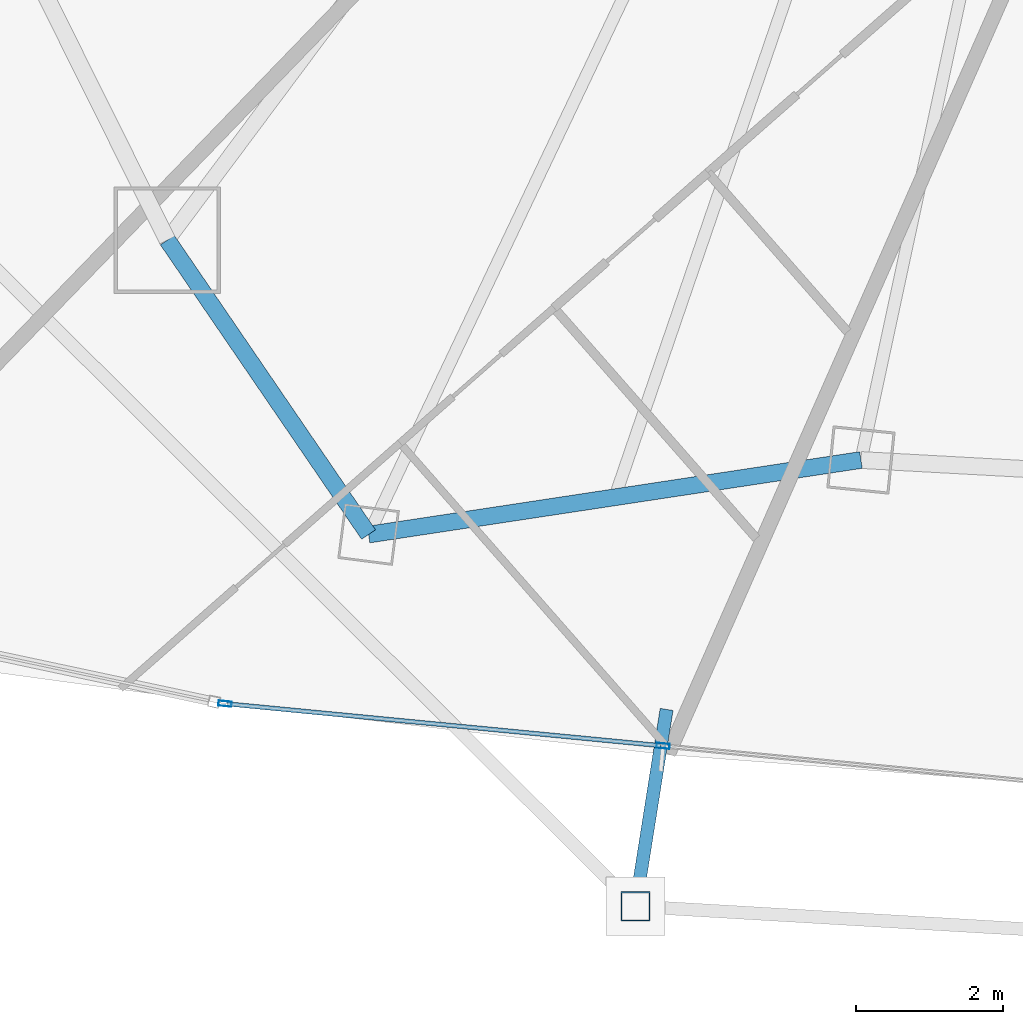
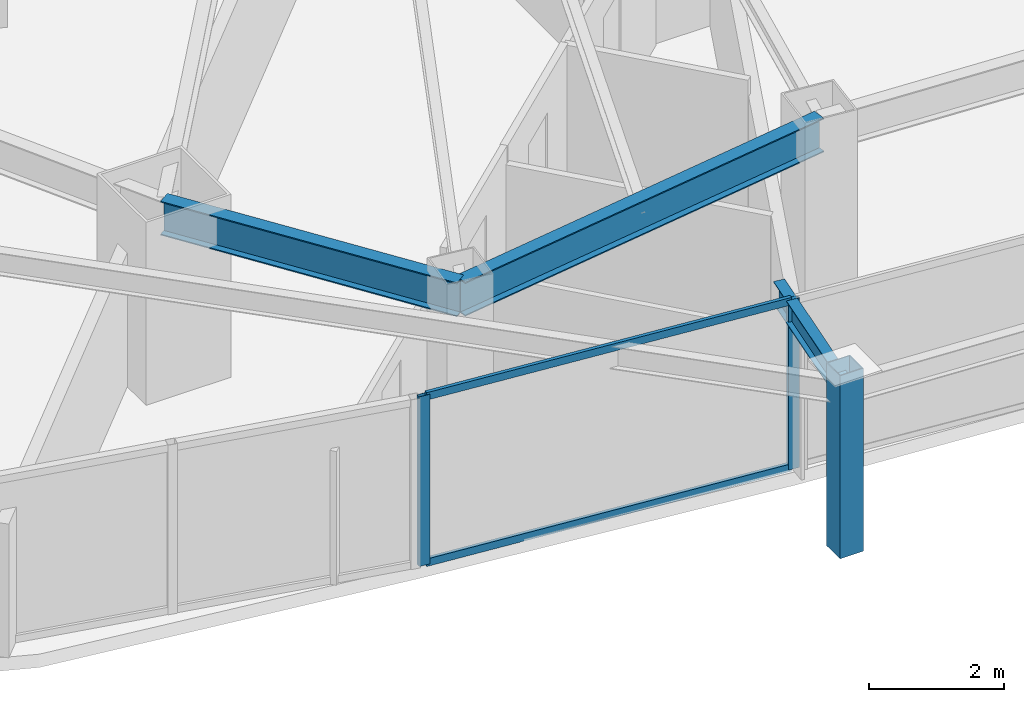
# One storey, part 4 of 31: 5 members, 3 beams, 1 element without a shape of its own.
"""IFC4 building model written with IfcOpenShell, lengths in metres."""

from ifc_helpers import new_model, si_unit, direction, frame, origin, origin_2d, place, context, subcontext, project, spatial, hollow_rectangle, i_section, extrude, material, layer, layer_set, material_profile, profile_set, type_object, element, aggregate, save


model = new_model("IFC4")

# Units and contexts
model_context = context("Model", 3, precision=1e-05, world=origin(), true_north=direction((0.0, 1.0)))
body_context = subcontext(model_context, "Body", "Model", "MODEL_VIEW")
ifc_project = project(units=[si_unit("LENGTHUNIT", "METRE"), si_unit("AREAUNIT", "SQUARE_METRE"), si_unit("VOLUMEUNIT", "CUBIC_METRE"), si_unit("PLANEANGLEUNIT", "RADIAN"), si_unit("MASSUNIT", "GRAM", prefix="KILO")], contexts=[model_context])

# Site, building, storey
site_placement = place(None, origin())
site = spatial("IfcSite", under=ifc_project, at=site_placement, CompositionType="ELEMENT")
building_placement = place(site_placement, origin())
building = spatial("IfcBuilding", under=site, at=building_placement, Name="Orvanel Arch Residences", CompositionType="ELEMENT")
storey_placement = place(building_placement, frame((0.0, 0.0, 113.300048828125)))
storey = spatial("IfcBuildingStorey", under=building, at=storey_placement, Name="L31", CompositionType="ELEMENT", Elevation=113.300048828125)

# Curtain wall, members
ifc_material_1 = material(Name="Bronze-anodised aluminium AA6063-T6", Category="aluminium")
ifc_layer = layer(ifc_material_1, 0.179931640625)
ifc_layer_set = layer_set([ifc_layer], Name="Bronze-anodised aluminium AA6063-T6")
curtain_wall_type = type_object("IfcCurtainWallType", Name="CW3-MID-SYS", PredefinedType="NOTDEFINED", material=ifc_layer_set)
curtain_wall_placement = place(storey_placement, origin())
curtain_wall = element("IfcCurtainWall", 1, at=curtain_wall_placement, inside=storey, type_object=curtain_wall_type, Name="L31 CW3-MID-SYS Unitised Curtain Wall", PredefinedType="NOTDEFINED")
ifc_material_profile_1 = material_profile(ifc_material_1, hollow_rectangle(XDim=0.070068359375, YDim=0.179931640625, WallThickness=0.00439453125, at=origin_2d()), Name="ALU180x70x4.5")
ifc_profile_set_1 = profile_set([ifc_material_profile_1], Name="Bronze-anodised aluminium AA6063-T6")
member_type_1 = type_object("IfcMemberType", Name="MUL-180x70", PredefinedType="MULLION", material=ifc_profile_set_1)
member_1_placement = place(storey_placement, frame((14.98486328125, 4.03564453125, 0.0), z_axis=(0.0, 0.0, 1.0), x_axis=(0.095998315385, 0.995381496434, 0.0)))
member_1 = element("IfcMember", 2, at=member_1_placement, type_object=member_type_1, Name="CW-S3 mullion 1", PredefinedType="MULLION", context=body_context, shape_type="SweptSolid", body=[
    extrude(hollow_rectangle(XDim=0.070068359375, YDim=0.179931640625, WallThickness=0.00439453125, at=origin_2d()), origin(), (0.0, 0.0, 1.0), 3.06005859375),
])
member_2_placement = place(storey_placement, frame((20.95361328125, 3.4599609375, 0.0), z_axis=(0.0, 0.0, 1.0), x_axis=(0.095998315385, 0.995381496434, 0.0)))
member_2 = element("IfcMember", 3, at=member_2_placement, type_object=member_type_1, Name="CW-S3 mullion 2", PredefinedType="MULLION", context=body_context, shape_type="SweptSolid", body=[
    extrude(hollow_rectangle(XDim=0.070068359375, YDim=0.179931640625, WallThickness=0.00439453125, at=origin_2d()), origin(), (0.0, 0.0, 1.0), 3.06005859375),
])

# Beams
ifc_material_2 = material(Name="Structural steel AS/NZS 3679.1 Grade 300 (300 MPa)", Category="steel")
ifc_material_profile_2 = material_profile(ifc_material_2, i_section(OverallWidth=0.177978515625, OverallDepth=0.406005859375, WebThickness=0.0078125, FlangeThickness=0.0126953125, at=origin_2d()), Name="410UB59.7")
ifc_profile_set_2 = profile_set([ifc_material_profile_2], Name="Structural steel AS/NZS 3679.1 Grade 300 (300 MPa)")
beam_type_1 = type_object("IfcBeamType", Name="OB-410UB-EXT", PredefinedType="SPANDREL", material=ifc_profile_set_2)
beam_1_placement = place(storey_placement, frame((21.0009765625, 3.95703125, 2.85693359375), z_axis=(-0.15611487526, -0.987738905644, 0.0), x_axis=(0.987738905644, -0.15611487526, 0.0)))
element("IfcBeam", 4, at=beam_1_placement, inside=storey, type_object=beam_type_1, Name="L31 Outer Frame Radial Tie Beam 05", PredefinedType="SPANDREL", context=body_context, shape_type="SweptSolid", body=[
    extrude(i_section(OverallWidth=0.177978515625, OverallDepth=0.406005859375, WebThickness=0.0078125, FlangeThickness=0.0126953125, at=origin_2d()), origin(), (0.0, 0.0, 1.0), 2.71630859375),
])
ifc_material_profile_3 = material_profile(ifc_material_2, i_section(OverallWidth=0.22900390625, OverallDepth=0.612060546875, WebThickness=0.011962890625, FlangeThickness=0.01953125, at=origin_2d()), Name="610UB125")
ifc_profile_set_3 = profile_set([ifc_material_profile_3], Name="Structural steel AS/NZS 3679.1 Grade 300 (300 MPa)")
beam_type_2 = type_object("IfcBeamType", Name="SP-610UB", PredefinedType="SPANDREL", material=ifc_profile_set_3)
beam_2_placement = place(storey_placement, frame((14.198974609375, 10.35107421875, 2.75390625), z_axis=(0.564251579852, -0.825602903722, 0.0), x_axis=(0.825602903722, 0.564251579852, 0.0)))
element("IfcBeam", 5, at=beam_2_placement, inside=storey, type_object=beam_type_2, Name="L31 Perimeter Spandrel Beam 03", PredefinedType="SPANDREL", context=body_context, shape_type="SweptSolid", body=[
    extrude(i_section(OverallWidth=0.22900390625, OverallDepth=0.612060546875, WebThickness=0.011962890625, FlangeThickness=0.01953125, at=origin_2d()), origin(), (0.0, 0.0, 1.0), 4.859375),
])
beam_3_placement = place(storey_placement, frame((16.94091796875, 6.339111328125, 2.75390625), z_axis=(0.988726323014, 0.149733958002, 0.0), x_axis=(-0.149733958002, 0.988726323014, 0.0)))
element("IfcBeam", 6, at=beam_3_placement, inside=storey, type_object=beam_type_2, Name="L31 Perimeter Spandrel Beam 04", PredefinedType="SPANDREL", context=body_context, shape_type="SweptSolid", body=[
    extrude(i_section(OverallWidth=0.22900390625, OverallDepth=0.612060546875, WebThickness=0.011962890625, FlangeThickness=0.01953125, at=origin_2d()), origin(), (0.0, 0.0, 1.0), 6.784423828125),
])

# Member
ifc_material_3 = material(Name="Structural steel AS/NZS 1163 C450L0 (Grade 450)", Category="steel")
ifc_material_profile_4 = material_profile(ifc_material_3, hollow_rectangle(XDim=0.39990234375, YDim=0.39990234375, WallThickness=0.01611328125, at=origin_2d()), Name="SHS400x400x16")
ifc_profile_set_4 = profile_set([ifc_material_profile_4], Name="Structural steel AS/NZS 1163 C450L0 (Grade 450)")
member_type_2 = type_object("IfcMemberType", Name="ST-400SHS-EXT", PredefinedType="STRUT", material=ifc_profile_set_4)
member_3_placement = place(storey_placement, frame((20.576904296875, 1.27392578125, 0.0), z_axis=(0.0, 0.0, 1.0), x_axis=(1.0, 0.0, 0.0)))
element("IfcMember", 7, at=member_3_placement, inside=storey, type_object=member_type_2, Name="L31 Outer Perimeter Frame Post 05", PredefinedType="STRUT", context=body_context, shape_type="SweptSolid", body=[
    extrude(hollow_rectangle(XDim=0.39990234375, YDim=0.39990234375, WallThickness=0.01611328125, at=origin_2d()), origin(), (0.0, 0.0, 1.0), 3.300048828125),
])

ifc_material_profile_5 = material_profile(ifc_material_1, hollow_rectangle(XDim=0.06005859375, YDim=0.135009765625, WallThickness=0.00390625, at=origin_2d()), Name="ALU135x60x4")
ifc_profile_set_5 = profile_set([ifc_material_profile_5], Name="Bronze-anodised aluminium AA6063-T6")
member_type_3 = type_object("IfcMemberType", Name="TRN-135x60", PredefinedType="USERDEFINED", material=ifc_profile_set_5)
member_4_placement = place(storey_placement, frame((15.019775390625, 4.0322265625, 0.030029296875), z_axis=(0.995382573688, -0.095987144967, 0.0), x_axis=(0.095987144967, 0.995382573688, 0.0)))
member_4 = element("IfcMember", 8, at=member_4_placement, type_object=member_type_3, Name="CW-S3 transom 1.1", ObjectType="TRANSOM", PredefinedType="USERDEFINED", context=body_context, shape_type="SweptSolid", body=[
    extrude(hollow_rectangle(XDim=0.06005859375, YDim=0.135009765625, WallThickness=0.00390625, at=origin_2d()), origin(), (0.0, 0.0, 1.0), 5.92626953125),
])

member_5_placement = place(storey_placement, frame((15.019775390625, 4.0322265625, 3.030029296875), z_axis=(0.995382573688, -0.095987144967, 0.0), x_axis=(0.095987144967, 0.995382573688, 0.0)))
member_5 = element("IfcMember", 9, at=member_5_placement, type_object=member_type_3, Name="CW-S3 transom 1.2", ObjectType="TRANSOM", PredefinedType="USERDEFINED", context=body_context, shape_type="SweptSolid", body=[
    extrude(hollow_rectangle(XDim=0.06005859375, YDim=0.135009765625, WallThickness=0.00390625, at=origin_2d()), origin(), (0.0, 0.0, 1.0), 5.92626953125),
])

aggregate(curtain_wall, [member_1, member_2, member_4, member_5])

save(model, "model.ifc")
